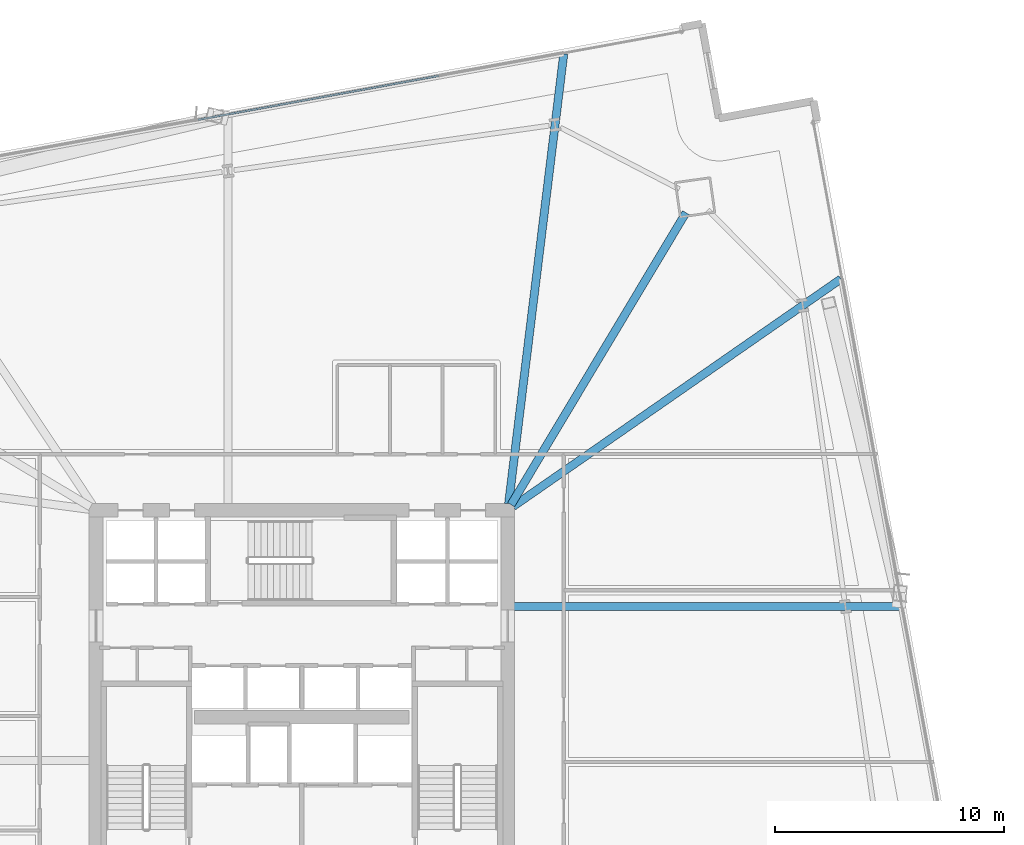
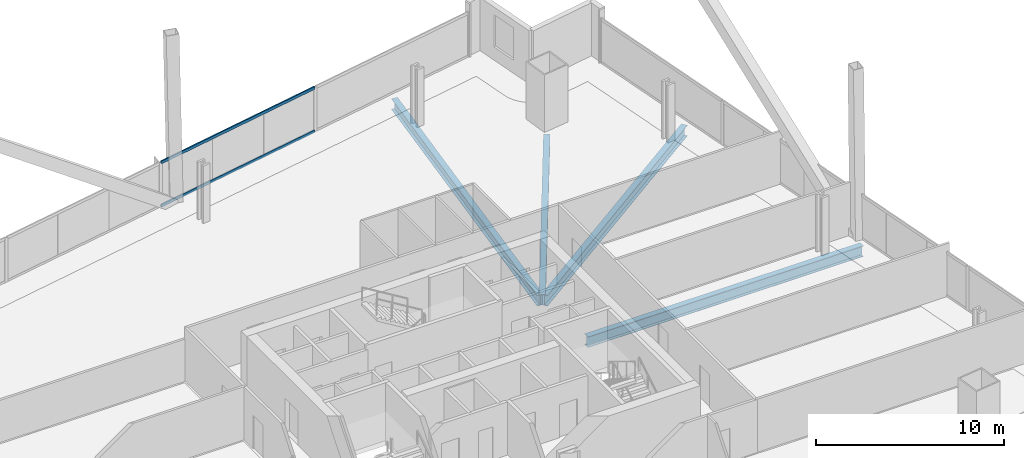
# One storey, part 20 of 34: 4 beams, 2 members, 1 element without a shape of its own.
"""IFC4 building model written with IfcOpenShell, lengths in metres."""

import ifcopenshell
import ifcopenshell.guid

model = None  # the IFC model being written
_history = None  # IfcOwnerHistory: only IFC2X3 demands one
_inside = {}  # id of a spatial element -> (the spatial element, [elements in it])
_under = {}  # id of a project, library or spatial element -> (it, [spatial elements below it])
_declared = {}  # id of a project -> (the project, [libraries it declares])
_typed = {}  # id of a type object -> (the type object, [elements of that type])
_made_of = {}  # id of a material, layer set ... -> (it, [elements and type objects made of it])


def new_model(schema):
    """Start an empty IFC model of exactly this schema.

    Asked for "IFC4X3", IfcOpenShell would pick the latest addendum, in which some entities
    have other attributes; the version numbers below select the first issue.
    IFC2X3 requires an IfcOwnerHistory on every rooted entity: one is made here for all.
    """
    global model, _history
    if schema == "IFC4X3":
        model = ifcopenshell.file(schema_version=(4, 3, 0, 0))
    else:
        model = ifcopenshell.file(schema=schema)
    _inside.clear()
    _under.clear()
    _declared.clear()
    _typed.clear()
    _made_of.clear()
    _history = None
    if model.schema == "IFC2X3":
        org = make("IfcOrganization", Name="unknown")
        user = make(
            "IfcPersonAndOrganization",
            ThePerson=make("IfcPerson", FamilyName="unknown"),
            TheOrganization=org,
        )
        app = make(
            "IfcApplication",
            ApplicationDeveloper=org,
            Version="unknown",
            ApplicationFullName="unknown",
            ApplicationIdentifier="unknown",
        )
        _history = make(
            "IfcOwnerHistory",
            OwningUser=user,
            OwningApplication=app,
            ChangeAction="ADDED",
            CreationDate=0,
        )
    return model


def make(cls, **values):
    """One entity of the class cls with the attributes given. An attribute that is None is left unset."""
    return model.create_entity(
        cls, **{name: value for name, value in values.items() if value is not None}
    )


def rooted(cls, **values):
    """An entity with a GlobalId (a new one), such as an element, a storey or a relation."""
    return make(cls, GlobalId=ifcopenshell.guid.new(), OwnerHistory=_history, **values)


def si_unit(unit_type, name, prefix=None):
    """IfcSIUnit, for example si_unit("LENGTHUNIT", "METRE", prefix="MILLI")."""
    return make("IfcSIUnit", UnitType=unit_type, Prefix=prefix, Name=name)


def assignment(units):
    """IfcUnitAssignment: the units of a project."""
    return None if units is None else make("IfcUnitAssignment", Units=units)


def point(xyz):
    """IfcCartesianPoint."""
    return None if xyz is None else make("IfcCartesianPoint", Coordinates=xyz)


def direction(xyz):
    """IfcDirection."""
    return None if xyz is None else make("IfcDirection", DirectionRatios=xyz)


def frame(location, z_axis=None, x_axis=None):
    """IfcAxis2Placement3D, a coordinate frame: its origin and axes. An axis left out is left unset."""
    return make(
        "IfcAxis2Placement3D",
        Location=point(location),
        Axis=direction(z_axis),
        RefDirection=direction(x_axis),
    )


def frame_2d(location, x_axis=None):
    """IfcAxis2Placement2D, a coordinate frame in the plane: its origin and x axis."""
    return make(
        "IfcAxis2Placement2D", Location=point(location), RefDirection=direction(x_axis)
    )


def origin():
    """The frame at (0, 0, 0) with its axes left unset."""
    return frame((0.0, 0.0, 0.0))


def origin_2d():
    """The frame at (0, 0) in the plane with its x axis left unset."""
    return frame_2d((0.0, 0.0))


def place(relative_to, where):
    """IfcLocalPlacement: puts the frame where relative to a parent placement (None: the world)."""
    return make(
        "IfcLocalPlacement", PlacementRelTo=relative_to, RelativePlacement=where
    )


def context(
    kind, dimensions, precision=None, world=None, true_north=None, identifier=None
):
    """IfcGeometricRepresentationContext, for example the 3D "Model" context."""
    return make(
        "IfcGeometricRepresentationContext",
        ContextIdentifier=identifier,
        ContextType=kind,
        CoordinateSpaceDimension=dimensions,
        Precision=precision,
        WorldCoordinateSystem=world,
        TrueNorth=true_north,
    )


def subcontext(parent, identifier, kind, view, scale=None):
    """IfcGeometricRepresentationSubContext, for example "Body" below "Model"."""
    return make(
        "IfcGeometricRepresentationSubContext",
        ContextIdentifier=identifier,
        ContextType=kind,
        ParentContext=parent,
        TargetScale=scale,
        TargetView=view,
    )


def project(units=None, contexts=None):
    """IfcProject with its units and contexts."""
    return rooted(
        "IfcProject",
        Name="project",
        RepresentationContexts=contexts,
        UnitsInContext=assignment(units),
    )


def spatial(cls, under=None, at=None, **own):
    """A site, building, storey or space (cls), placed at a placement, below another one or the project."""
    s = rooted(cls, ObjectPlacement=at, **own)
    if under is not None:
        _under.setdefault(under.id(), (under, []))[1].append(s)
    return s


def profile(cls, at=None, kind="AREA", **sizes):
    """A parametric profile (cls). Its sizes go by their IFC names, for example OverallWidth=200.0."""
    return make(cls, ProfileType=kind, Position=at, **sizes)


def hollow_rectangle(**sizes):
    """IfcRectangleHollowProfileDef."""
    return profile("IfcRectangleHollowProfileDef", **sizes)


def i_section(**sizes):
    """IfcIShapeProfileDef."""
    return profile("IfcIShapeProfileDef", **sizes)


def extrude(swept, where, along, depth):
    """IfcExtrudedAreaSolid: the profile swept, set in the frame where, extruded along a direction by depth."""
    return make(
        "IfcExtrudedAreaSolid",
        SweptArea=swept,
        Position=where,
        ExtrudedDirection=direction(along),
        Depth=depth,
    )


def shape(context_of_items, identifier, shape_type, items):
    """IfcShapeRepresentation: the items that make up one representation, for example the "Body"."""
    return make(
        "IfcShapeRepresentation",
        ContextOfItems=context_of_items,
        RepresentationIdentifier=identifier,
        RepresentationType=shape_type,
        Items=items,
    )


def material(Name=None, Category=None):
    """IfcMaterial."""
    return make("IfcMaterial", Name=Name, Category=Category)


def material_profile(
    of_material, cross_section, Name=None, Category=None, Priority=None
):
    """IfcMaterialProfile: a cross section and its material."""
    return make(
        "IfcMaterialProfile",
        Name=Name,
        Material=of_material,
        Profile=cross_section,
        Priority=Priority,
        Category=Category,
    )


def profile_set(profiles, Name=None, composite=None):
    """IfcMaterialProfileSet."""
    return make(
        "IfcMaterialProfileSet",
        Name=Name,
        MaterialProfiles=profiles,
        CompositeProfile=composite,
    )


def made_of(thing, what):
    """Note that an element or type object is made of a material, layer set ...; save() writes the relation."""
    if what is not None:
        _made_of.setdefault(what.id(), (what, []))[1].append(thing)
    return thing


def type_object(cls, material=None, **own):
    """A type object (cls), such as IfcWallType, which elements share."""
    return made_of(rooted(cls, **own), material)


def element(
    cls,
    number,
    at=None,
    inside=None,
    cuts=None,
    type_object=None,
    material=None,
    context=None,
    identifier="Body",
    shape_type=None,
    held_by="IfcProductDefinitionShape",
    body=None,
    shapes=None,
    **own,
):
    """One element of the class cls, such as IfcWall. Its Tag is "e" and its number.

    at: its placement. inside: the storey or other place that contains it. cuts: it is an
    opening in that element (IfcRelVoidsElement). A single representation is given by context,
    identifier, shape_type and body (its items); several are given by shapes. held_by: the class
    of the entity that holds the representations. save() writes the other relations.
    """
    e = rooted(cls, Tag="e%d" % number, ObjectPlacement=at, **own)
    if body is not None:
        shapes = [shape(context, identifier, shape_type, body)]
    if shapes is not None:
        e.Representation = make(held_by, Representations=shapes)
    if inside is not None:
        _inside.setdefault(inside.id(), (inside, []))[1].append(e)
    if cuts is not None:
        rooted(
            "IfcRelVoidsElement", RelatingBuildingElement=cuts, RelatedOpeningElement=e
        )
    if type_object is not None:
        _typed.setdefault(type_object.id(), (type_object, []))[1].append(e)
    return made_of(e, material)


def aggregate(whole, parts):
    """IfcRelAggregates: a whole, such as a stair, and the parts it consists of."""
    return rooted("IfcRelAggregates", RelatingObject=whole, RelatedObjects=parts)


def save(model, path):
    """Write the relations noted so far, then the file.

    IfcRelAggregates (storeys below a building ...), IfcRelContainedInSpatialStructure (elements
    in a storey), IfcRelDefinesByType, IfcRelAssociatesMaterial and IfcRelDeclares: one each for
    every whole, place, type object, material and project.
    """
    for whole, parts in _under.values():
        aggregate(whole, parts)
    for where, things in _inside.values():
        rooted(
            "IfcRelContainedInSpatialStructure",
            RelatedElements=things,
            RelatingStructure=where,
        )
    for kind, things in _typed.values():
        rooted("IfcRelDefinesByType", RelatedObjects=things, RelatingType=kind)
    for what, things in _made_of.values():
        rooted("IfcRelAssociatesMaterial", RelatedObjects=things, RelatingMaterial=what)
    for by, libraries in _declared.values():
        rooted("IfcRelDeclares", RelatingContext=by, RelatedDefinitions=libraries)
    model.write(path)


model = new_model("IFC4")

# Units and contexts
model_context = context("Model", 3, precision=1e-05, world=origin(), true_north=direction((0.0, 1.0)))
body_context = subcontext(model_context, "Body", "Model", "MODEL_VIEW")
ifc_project = project(units=[si_unit("LENGTHUNIT", "METRE"), si_unit("AREAUNIT", "SQUARE_METRE"), si_unit("VOLUMEUNIT", "CUBIC_METRE"), si_unit("PLANEANGLEUNIT", "RADIAN"), si_unit("MASSUNIT", "GRAM", prefix="KILO")], contexts=[model_context])

# Site, building, storey
site_placement = place(None, origin())
site = spatial("IfcSite", under=ifc_project, at=site_placement, CompositionType="ELEMENT")
building_placement = place(site_placement, origin())
building = spatial("IfcBuilding", under=site, at=building_placement, Name="Haldenkirk Collegiate Tower", CompositionType="ELEMENT")
storey_placement = place(building_placement, frame((0.0, 0.0, 62.699951171875)))
storey = spatial("IfcBuildingStorey", under=building, at=storey_placement, Name="L14", CompositionType="ELEMENT", Elevation=62.699951171875)

# Beams
ifc_material_1 = material(Name="Steel ASTM A992 Grade 50", Category="steel")
ifc_material_profile_1 = material_profile(ifc_material_1, i_section(OverallWidth=0.35498046875, OverallDepth=0.696044921875, WebThickness=0.015380859375, FlangeThickness=0.02490234375, at=origin_2d()), Name="W27X146")
ifc_profile_set_1 = profile_set([ifc_material_profile_1], Name="Steel ASTM A992 Grade 50")
beam_type = type_object("IfcBeamType", Name="BM-GIRDER-W27X146", PredefinedType="BEAM", material=ifc_profile_set_1)
beam_1_placement = place(storey_placement, frame((52.783935546875, 47.000732421875, -0.657958984375), z_axis=(-0.513696499257, -0.857971973115, 0.0), x_axis=(0.857971973115, -0.513696499257, 0.0)))
element("IfcBeam", 1, at=beam_1_placement, inside=storey, type_object=beam_type, Name="L14 primary floor girder 03", PredefinedType="BEAM", context=body_context, shape_type="SweptSolid", body=[
    extrude(i_section(OverallWidth=0.35498046875, OverallDepth=0.696044921875, WebThickness=0.015380859375, FlangeThickness=0.02490234375, at=origin_2d()), origin(), (0.0, 0.0, 1.0), 14.872802734375),
])
beam_2_placement = place(storey_placement, frame((62.17529296875, 29.788818359375, -0.657958984375), z_axis=(-1.0, 0.0, 0.0), x_axis=(0.0, -1.0, 0.0)))
element("IfcBeam", 2, at=beam_2_placement, inside=storey, type_object=beam_type, Name="L14 primary floor girder 09", PredefinedType="BEAM", context=body_context, shape_type="SweptSolid", body=[
    extrude(i_section(OverallWidth=0.35498046875, OverallDepth=0.696044921875, WebThickness=0.015380859375, FlangeThickness=0.02490234375, at=origin_2d()), origin(), (0.0, 0.0, 1.0), 16.895263671875),
])
beam_3_placement = place(storey_placement, frame((59.560302734375, 44.1064453125, -0.657958984375), z_axis=(-0.821499809868, -0.570208788416, 0.0), x_axis=(0.570208788416, -0.821499809868, 0.0)))
element("IfcBeam", 3, at=beam_3_placement, inside=storey, type_object=beam_type, Name="L14 primary floor girder 10", PredefinedType="BEAM", context=body_context, shape_type="SweptSolid", body=[
    extrude(i_section(OverallWidth=0.35498046875, OverallDepth=0.696044921875, WebThickness=0.015380859375, FlangeThickness=0.02490234375, at=origin_2d()), origin(), (0.0, 0.0, 1.0), 17.444091796875),
])
beam_4_placement = place(storey_placement, frame((47.44580078125, 53.94091796875, -0.657958984375), z_axis=(-0.121734961289, -0.992562642456, 0.0), x_axis=(0.992562642456, -0.121734961289, 0.0)))
element("IfcBeam", 4, at=beam_4_placement, inside=storey, type_object=beam_type, Name="L14 primary floor girder 11", PredefinedType="BEAM", context=body_context, shape_type="SweptSolid", body=[
    extrude(i_section(OverallWidth=0.35498046875, OverallDepth=0.696044921875, WebThickness=0.015380859375, FlangeThickness=0.02490234375, at=origin_2d()), origin(), (0.0, 0.0, 1.0), 19.810302734375),
])

# Curtain wall, members
ifc_material_2 = material(Name="Anodised architectural bronze aluminium", Category="aluminium")
curtain_wall_type = type_object("IfcCurtainWallType", Name="CW-SYS1-CONVEX-LOW", PredefinedType="USERDEFINED", material=ifc_material_2)
curtain_wall_placement = place(storey_placement, origin())
curtain_wall = element("IfcCurtainWall", 5, at=curtain_wall_placement, inside=storey, type_object=curtain_wall_type, Name="L14 Lower tower convex bronze-framed unitised curtain wall", ObjectType="UNITISED CURTAIN WALL", PredefinedType="USERDEFINED")
ifc_material_profile_2 = material_profile(ifc_material_2, hollow_rectangle(XDim=0.080078125, YDim=0.179931640625, WallThickness=0.0048828125, at=origin_2d()), Name="CW-TRN-1A")
ifc_profile_set_2 = profile_set([ifc_material_profile_2], Name="Anodised architectural bronze aluminium")
member_type = type_object("IfcMemberType", Name="CW-TRN-1A", PredefinedType="USERDEFINED", material=ifc_profile_set_2)
member_1_placement = place(storey_placement, frame((31.46337890625, 51.062744140625, 0.0400390625), z_axis=(0.983730088908, 0.179652754437, 0.0), x_axis=(-0.179652754437, 0.983730088908, 0.0)))
member_1 = element("IfcMember", 6, at=member_1_placement, type_object=member_type, Name="CW-1A transom 3.1", ObjectType="TRANSOM", PredefinedType="USERDEFINED", context=body_context, shape_type="SweptSolid", body=[
    extrude(hollow_rectangle(XDim=0.080078125, YDim=0.179931640625, WallThickness=0.0048828125, at=origin_2d()), origin(), (0.0, 0.0, 1.0), 10.695068359375),
])
member_2_placement = place(storey_placement, frame((31.46337890625, 51.062744140625, 2.85107421875), z_axis=(0.983730088908, 0.179652754437, 0.0), x_axis=(-0.179652754437, 0.983730088908, 0.0)))
member_2 = element("IfcMember", 7, at=member_2_placement, type_object=member_type, Name="CW-1A transom 3.2", ObjectType="TRANSOM", PredefinedType="USERDEFINED", context=body_context, shape_type="SweptSolid", body=[
    extrude(hollow_rectangle(XDim=0.080078125, YDim=0.179931640625, WallThickness=0.0048828125, at=origin_2d()), origin(), (0.0, 0.0, 1.0), 10.695068359375),
])
aggregate(curtain_wall, [member_1, member_2])

save(model, "model.ifc")
